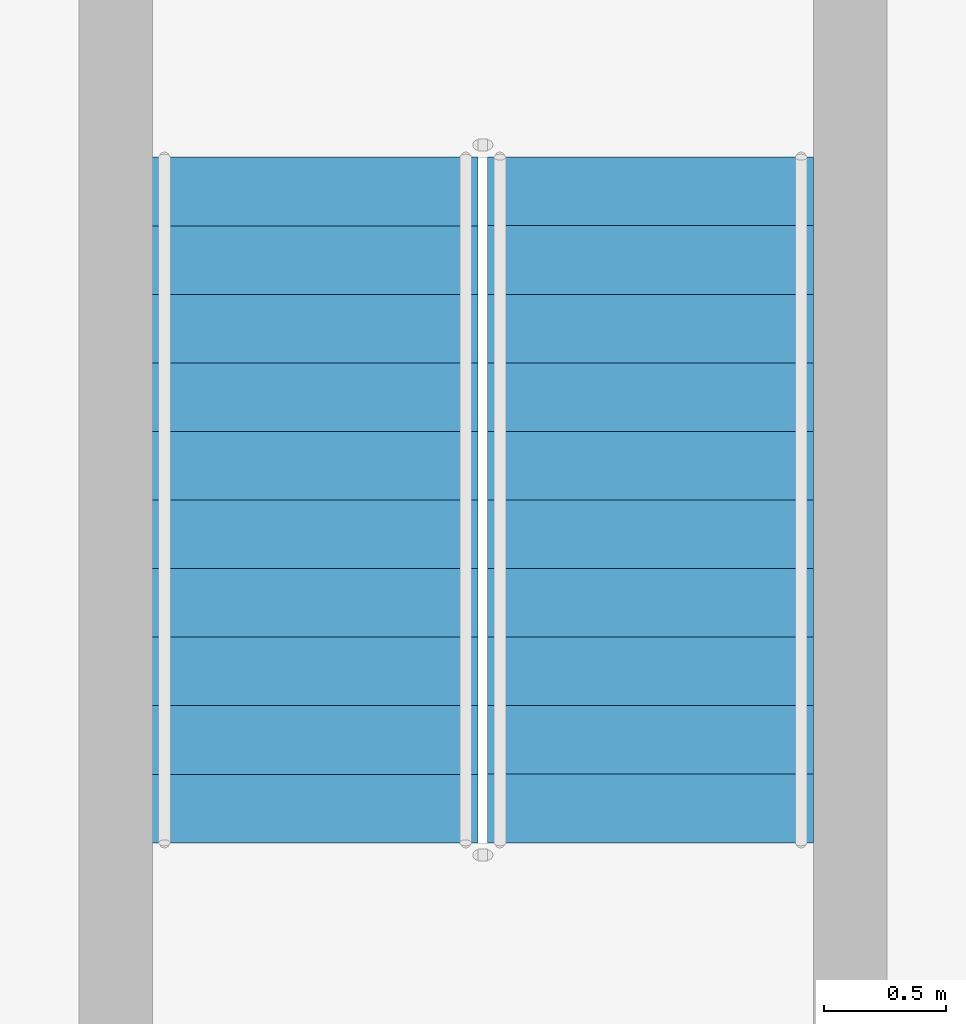
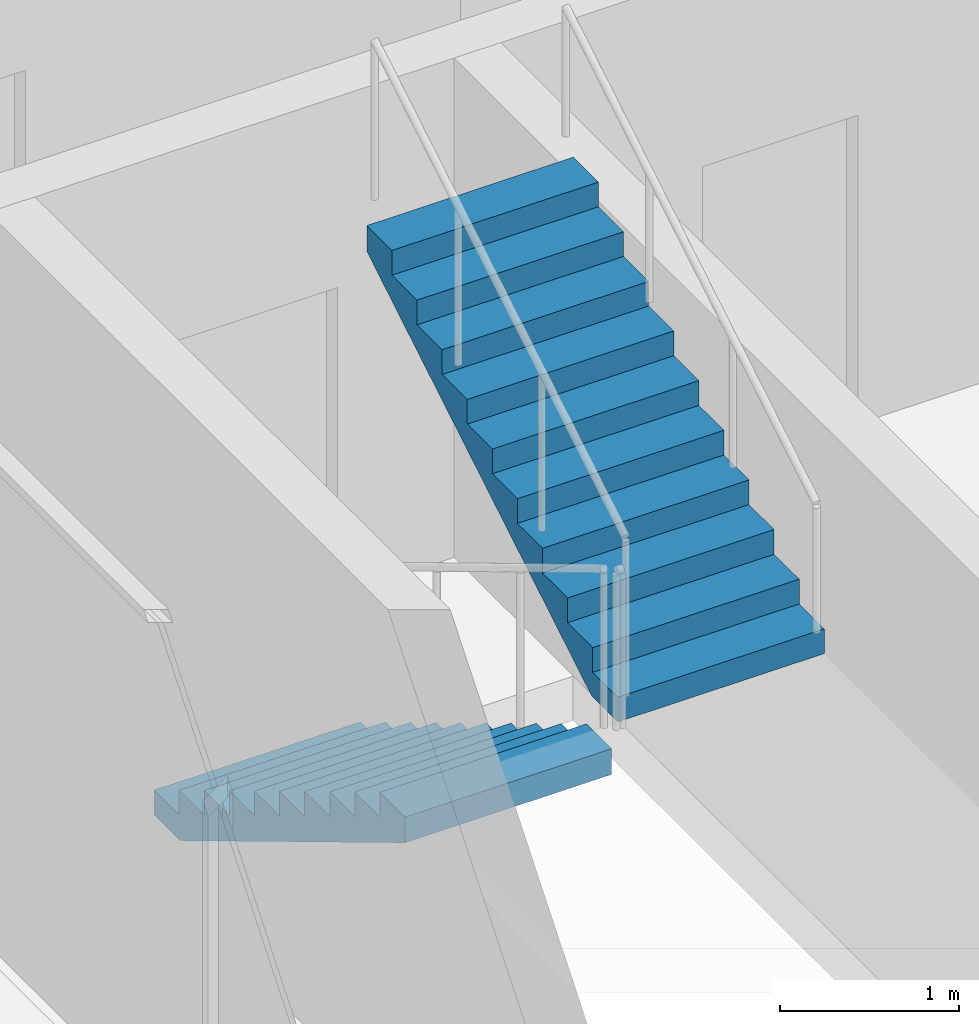
# One storey, part 15 of 24: 2 stair flights, 1 element without a shape of its own.
"""IFC4 building model written with IfcOpenShell, lengths in metres."""

from ifc_helpers import new_model, si_unit, direction, frame, origin, place, context, subcontext, project, spatial, triangles, source, transform, mapped, material, type_object, element, aggregate, save


model = new_model("IFC4")

# Units and contexts
model_context = context("Model", 3, precision=1e-05, world=origin(), true_north=direction((0.0, 1.0)))
body_context = subcontext(model_context, "Body", "Model", "MODEL_VIEW")
ifc_project = project(units=[si_unit("LENGTHUNIT", "METRE"), si_unit("AREAUNIT", "SQUARE_METRE"), si_unit("VOLUMEUNIT", "CUBIC_METRE"), si_unit("PLANEANGLEUNIT", "RADIAN"), si_unit("MASSUNIT", "GRAM", prefix="KILO")], contexts=[model_context])

# Site, building, storey
site_placement = place(None, origin())
site = spatial("IfcSite", under=ifc_project, at=site_placement, CompositionType="ELEMENT")
building_placement = place(site_placement, origin())
building = spatial("IfcBuilding", under=site, at=building_placement, Name="Ogive Portal Towers", CompositionType="ELEMENT")
storey_placement = place(building_placement, frame((0.0, 0.0, 153.300048828125)))
storey = spatial("IfcBuildingStorey", under=building, at=storey_placement, Name="L37", CompositionType="ELEMENT", Elevation=153.300048828125)

# Stair, stair flights
ifc_material = material(Name="Concrete C40/50", Category="concrete")
stair_type = type_object("IfcStairType", Name="INT-STAIR", PredefinedType="HALF_TURN_STAIR", material=ifc_material)
stair_placement = place(storey_placement, origin())
stair = element("IfcStair", 1, at=stair_placement, inside=storey, type_object=stair_type, Name="L37 Exit Stair ST-A4", PredefinedType="HALF_TURN_STAIR")
stair_flight_type = type_object("IfcStairFlightType", Name="INT-FLIGHT", PredefinedType="STRAIGHT", material=ifc_material)
shared_shape = source(origin(), body_context, "Body", "Tessellation", [
    triangles([(0.0, -0.6650390625, 0.0), (0.0, -0.384765625, 0.0), (0.0, -0.197021484375, 0.0), (0.0, -0.0830078125, 0.0), (0.0, -0.024658203125, 0.0), (0.0, -0.003173828125, 0.0), (0.0, 0.0, 0.0), (0.0, 0.003173828125, 0.0), (0.0, 0.024658203125, 0.0), (0.0, 0.0830078125, 0.0), (0.0, 0.197021484375, 0.0), (0.0, 0.384765625, 0.0), (0.0, 0.6650390625, 0.0), (0.0, -0.6650390625, 0.168212890625), (0.0, -0.384765625, 0.168212890625), (0.0, -0.197021484375, 0.168212890625), (0.0, -0.0830078125, 0.168212890625), (0.0, -0.024658203125, 0.168212890625), (0.0, -0.003173828125, 0.168212890625), (0.0, 0.0, 0.168212890625), (0.0, 0.003173828125, 0.168212890625), (0.0, 0.024658203125, 0.168212890625), (0.0, 0.0830078125, 0.168212890625), (0.0, 0.197021484375, 0.168212890625), (0.0, 0.384765625, 0.168212890625), (0.0, 0.6650390625, 0.168212890625), (0.280029296875, -0.6650390625, 0.168212890625), (0.280029296875, -0.384765625, 0.168212890625), (0.280029296875, -0.197021484375, 0.168212890625), (0.280029296875, -0.0830078125, 0.168212890625), (0.280029296875, -0.024658203125, 0.168212890625), (0.280029296875, -0.003173828125, 0.168212890625), (0.280029296875, 0.0, 0.168212890625), (0.280029296875, 0.003173828125, 0.168212890625), (0.280029296875, 0.024658203125, 0.168212890625), (0.280029296875, 0.0830078125, 0.168212890625), (0.280029296875, 0.197021484375, 0.168212890625), (0.280029296875, 0.384765625, 0.168212890625), (0.280029296875, 0.6650390625, 0.168212890625), (0.280029296875, -0.6650390625, 0.33642578125), (0.280029296875, -0.384765625, 0.33642578125), (0.280029296875, -0.197021484375, 0.33642578125), (0.280029296875, -0.0830078125, 0.33642578125), (0.280029296875, -0.024658203125, 0.33642578125), (0.280029296875, -0.003173828125, 0.33642578125), (0.280029296875, 0.0, 0.33642578125), (0.280029296875, 0.003173828125, 0.33642578125), (0.280029296875, 0.024658203125, 0.33642578125), (0.280029296875, 0.0830078125, 0.33642578125), (0.280029296875, 0.197021484375, 0.33642578125), (0.280029296875, 0.384765625, 0.33642578125), (0.280029296875, 0.6650390625, 0.33642578125), (0.56005859375, -0.6650390625, 0.33642578125), (0.56005859375, -0.384765625, 0.33642578125), (0.56005859375, -0.197021484375, 0.33642578125), (0.56005859375, -0.0830078125, 0.33642578125), (0.56005859375, -0.024658203125, 0.33642578125), (0.56005859375, -0.003173828125, 0.33642578125), (0.56005859375, 0.0, 0.33642578125), (0.56005859375, 0.003173828125, 0.33642578125), (0.56005859375, 0.024658203125, 0.33642578125), (0.56005859375, 0.0830078125, 0.33642578125), (0.56005859375, 0.197021484375, 0.33642578125), (0.56005859375, 0.384765625, 0.33642578125), (0.56005859375, 0.6650390625, 0.33642578125), (0.56005859375, -0.6650390625, 0.504638671875), (0.56005859375, -0.384765625, 0.504638671875), (0.56005859375, -0.197021484375, 0.504638671875), (0.56005859375, -0.0830078125, 0.504638671875), (0.56005859375, -0.024658203125, 0.504638671875), (0.56005859375, -0.003173828125, 0.504638671875), (0.56005859375, 0.0, 0.504638671875), (0.56005859375, 0.003173828125, 0.504638671875), (0.56005859375, 0.024658203125, 0.504638671875), (0.56005859375, 0.0830078125, 0.504638671875), (0.56005859375, 0.197021484375, 0.504638671875), (0.56005859375, 0.384765625, 0.504638671875), (0.56005859375, 0.6650390625, 0.504638671875), (0.840087890625, -0.6650390625, 0.504638671875), (0.840087890625, -0.384765625, 0.504638671875), (0.840087890625, -0.197021484375, 0.504638671875), (0.840087890625, -0.0830078125, 0.504638671875), (0.840087890625, -0.024658203125, 0.504638671875), (0.840087890625, -0.003173828125, 0.504638671875), (0.840087890625, 0.0, 0.504638671875), (0.840087890625, 0.003173828125, 0.504638671875), (0.840087890625, 0.024658203125, 0.504638671875), (0.840087890625, 0.0830078125, 0.504638671875), (0.840087890625, 0.197021484375, 0.504638671875), (0.840087890625, 0.384765625, 0.504638671875), (0.840087890625, 0.6650390625, 0.504638671875), (0.840087890625, -0.6650390625, 0.672607421875), (0.840087890625, -0.384765625, 0.672607421875), (0.840087890625, -0.197021484375, 0.672607421875), (0.840087890625, -0.0830078125, 0.672607421875), (0.840087890625, -0.024658203125, 0.672607421875), (0.840087890625, -0.003173828125, 0.672607421875), (0.840087890625, 0.0, 0.672607421875), (0.840087890625, 0.003173828125, 0.672607421875), (0.840087890625, 0.024658203125, 0.672607421875), (0.840087890625, 0.0830078125, 0.672607421875), (0.840087890625, 0.197021484375, 0.672607421875), (0.840087890625, 0.384765625, 0.672607421875), (0.840087890625, 0.6650390625, 0.672607421875), (1.1201171875, -0.6650390625, 0.672607421875), (1.1201171875, -0.384765625, 0.672607421875), (1.1201171875, -0.197021484375, 0.672607421875), (1.1201171875, -0.0830078125, 0.672607421875), (1.1201171875, -0.024658203125, 0.672607421875), (1.1201171875, -0.003173828125, 0.672607421875), (1.1201171875, 0.0, 0.672607421875), (1.1201171875, 0.003173828125, 0.672607421875), (1.1201171875, 0.024658203125, 0.672607421875), (1.1201171875, 0.0830078125, 0.672607421875), (1.1201171875, 0.197021484375, 0.672607421875), (1.1201171875, 0.384765625, 0.672607421875), (1.1201171875, 0.6650390625, 0.672607421875), (1.1201171875, -0.6650390625, 0.8408203125), (1.1201171875, -0.384765625, 0.8408203125), (1.1201171875, -0.197021484375, 0.8408203125), (1.1201171875, -0.0830078125, 0.8408203125), (1.1201171875, -0.024658203125, 0.8408203125), (1.1201171875, -0.003173828125, 0.8408203125), (1.1201171875, 0.0, 0.8408203125), (1.1201171875, 0.003173828125, 0.8408203125), (1.1201171875, 0.024658203125, 0.8408203125), (1.1201171875, 0.0830078125, 0.8408203125), (1.1201171875, 0.197021484375, 0.8408203125), (1.1201171875, 0.384765625, 0.8408203125), (1.1201171875, 0.6650390625, 0.8408203125), (1.39990234375, -0.6650390625, 0.8408203125), (1.39990234375, -0.384765625, 0.8408203125), (1.39990234375, -0.197021484375, 0.8408203125), (1.39990234375, -0.0830078125, 0.8408203125), (1.39990234375, -0.024658203125, 0.8408203125), (1.39990234375, -0.003173828125, 0.8408203125), (1.39990234375, 0.0, 0.8408203125), (1.39990234375, 0.003173828125, 0.8408203125), (1.39990234375, 0.024658203125, 0.8408203125), (1.39990234375, 0.0830078125, 0.8408203125), (1.39990234375, 0.197021484375, 0.8408203125), (1.39990234375, 0.384765625, 0.8408203125), (1.39990234375, 0.6650390625, 0.8408203125), (1.39990234375, -0.6650390625, 1.009033203125), (1.39990234375, -0.384765625, 1.009033203125), (1.39990234375, -0.197021484375, 1.009033203125), (1.39990234375, -0.0830078125, 1.009033203125), (1.39990234375, -0.024658203125, 1.009033203125), (1.39990234375, -0.003173828125, 1.009033203125), (1.39990234375, 0.0, 1.009033203125), (1.39990234375, 0.003173828125, 1.009033203125), (1.39990234375, 0.024658203125, 1.009033203125), (1.39990234375, 0.0830078125, 1.009033203125), (1.39990234375, 0.197021484375, 1.009033203125), (1.39990234375, 0.384765625, 1.009033203125), (1.39990234375, 0.6650390625, 1.009033203125), (1.679931640625, -0.6650390625, 1.009033203125), (1.679931640625, -0.384765625, 1.009033203125), (1.679931640625, -0.197021484375, 1.009033203125), (1.679931640625, -0.0830078125, 1.009033203125), (1.679931640625, -0.024658203125, 1.009033203125), (1.679931640625, -0.003173828125, 1.009033203125), (1.679931640625, 0.0, 1.009033203125), (1.679931640625, 0.003173828125, 1.009033203125), (1.679931640625, 0.024658203125, 1.009033203125), (1.679931640625, 0.0830078125, 1.009033203125), (1.679931640625, 0.197021484375, 1.009033203125), (1.679931640625, 0.384765625, 1.009033203125), (1.679931640625, 0.6650390625, 1.009033203125), (1.679931640625, -0.6650390625, 1.17724609375), (1.679931640625, -0.384765625, 1.17724609375), (1.679931640625, -0.197021484375, 1.17724609375), (1.679931640625, -0.0830078125, 1.17724609375), (1.679931640625, -0.024658203125, 1.17724609375), (1.679931640625, -0.003173828125, 1.17724609375), (1.679931640625, 0.0, 1.17724609375), (1.679931640625, 0.003173828125, 1.17724609375), (1.679931640625, 0.024658203125, 1.17724609375), (1.679931640625, 0.0830078125, 1.17724609375), (1.679931640625, 0.197021484375, 1.17724609375), (1.679931640625, 0.384765625, 1.17724609375), (1.679931640625, 0.6650390625, 1.17724609375), (1.9599609375, -0.6650390625, 1.17724609375), (1.9599609375, -0.384765625, 1.17724609375), (1.9599609375, -0.197021484375, 1.17724609375), (1.9599609375, -0.0830078125, 1.17724609375), (1.9599609375, -0.024658203125, 1.17724609375), (1.9599609375, -0.003173828125, 1.17724609375), (1.9599609375, 0.0, 1.17724609375), (1.9599609375, 0.003173828125, 1.17724609375), (1.9599609375, 0.024658203125, 1.17724609375), (1.9599609375, 0.0830078125, 1.17724609375), (1.9599609375, 0.197021484375, 1.17724609375), (1.9599609375, 0.384765625, 1.17724609375), (1.9599609375, 0.6650390625, 1.17724609375), (1.9599609375, -0.6650390625, 1.345458984375), (1.9599609375, -0.384765625, 1.345458984375), (1.9599609375, -0.197021484375, 1.345458984375), (1.9599609375, -0.0830078125, 1.345458984375), (1.9599609375, -0.024658203125, 1.345458984375), (1.9599609375, -0.003173828125, 1.345458984375), (1.9599609375, 0.0, 1.345458984375), (1.9599609375, 0.003173828125, 1.345458984375), (1.9599609375, 0.024658203125, 1.345458984375), (1.9599609375, 0.0830078125, 1.345458984375), (1.9599609375, 0.197021484375, 1.345458984375), (1.9599609375, 0.384765625, 1.345458984375), (1.9599609375, 0.6650390625, 1.345458984375), (2.239990234375, -0.6650390625, 1.345458984375), (2.239990234375, -0.384765625, 1.345458984375), (2.239990234375, -0.197021484375, 1.345458984375), (2.239990234375, -0.0830078125, 1.345458984375), (2.239990234375, -0.024658203125, 1.345458984375), (2.239990234375, -0.003173828125, 1.345458984375), (2.239990234375, 0.0, 1.345458984375), (2.239990234375, 0.003173828125, 1.345458984375), (2.239990234375, 0.024658203125, 1.345458984375), (2.239990234375, 0.0830078125, 1.345458984375), (2.239990234375, 0.197021484375, 1.345458984375), (2.239990234375, 0.384765625, 1.345458984375), (2.239990234375, 0.6650390625, 1.345458984375), (2.239990234375, -0.6650390625, 1.513671875), (2.239990234375, -0.384765625, 1.513671875), (2.239990234375, -0.197021484375, 1.513671875), (2.239990234375, -0.0830078125, 1.513671875), (2.239990234375, -0.024658203125, 1.513671875), (2.239990234375, -0.003173828125, 1.513671875), (2.239990234375, 0.0, 1.513671875), (2.239990234375, 0.003173828125, 1.513671875), (2.239990234375, 0.024658203125, 1.513671875), (2.239990234375, 0.0830078125, 1.513671875), (2.239990234375, 0.197021484375, 1.513671875), (2.239990234375, 0.384765625, 1.513671875), (2.239990234375, 0.6650390625, 1.513671875), (2.52001953125, -0.6650390625, 1.513671875), (2.52001953125, -0.384765625, 1.513671875), (2.52001953125, -0.197021484375, 1.513671875), (2.52001953125, -0.0830078125, 1.513671875), (2.52001953125, -0.024658203125, 1.513671875), (2.52001953125, -0.003173828125, 1.513671875), (2.52001953125, 0.0, 1.513671875), (2.52001953125, 0.003173828125, 1.513671875), (2.52001953125, 0.024658203125, 1.513671875), (2.52001953125, 0.0830078125, 1.513671875), (2.52001953125, 0.197021484375, 1.513671875), (2.52001953125, 0.384765625, 1.513671875), (2.52001953125, 0.6650390625, 1.513671875), (2.52001953125, -0.6650390625, 1.681884765625), (2.52001953125, -0.384765625, 1.681884765625), (2.52001953125, -0.197021484375, 1.681884765625), (2.52001953125, -0.0830078125, 1.681884765625), (2.52001953125, -0.024658203125, 1.681884765625), (2.52001953125, -0.003173828125, 1.681884765625), (2.52001953125, 0.0, 1.681884765625), (2.52001953125, 0.003173828125, 1.681884765625), (2.52001953125, 0.024658203125, 1.681884765625), (2.52001953125, 0.0830078125, 1.681884765625), (2.52001953125, 0.197021484375, 1.681884765625), (2.52001953125, 0.384765625, 1.681884765625), (2.52001953125, 0.6650390625, 1.681884765625), (2.800048828125, -0.6650390625, 1.681884765625), (2.800048828125, -0.384765625, 1.681884765625), (2.800048828125, -0.197021484375, 1.681884765625), (2.800048828125, -0.0830078125, 1.681884765625), (2.800048828125, -0.024658203125, 1.681884765625), (2.800048828125, -0.003173828125, 1.681884765625), (2.800048828125, 0.0, 1.681884765625), (2.800048828125, 0.003173828125, 1.681884765625), (2.800048828125, 0.024658203125, 1.681884765625), (2.800048828125, 0.0830078125, 1.681884765625), (2.800048828125, 0.197021484375, 1.681884765625), (2.800048828125, 0.384765625, 1.681884765625), (2.800048828125, 0.6650390625, 1.681884765625), (2.800048828125, -0.6650390625, 1.5068359375), (2.800048828125, -0.384765625, 1.5068359375), (2.800048828125, -0.197021484375, 1.5068359375), (2.800048828125, -0.0830078125, 1.5068359375), (2.800048828125, -0.024658203125, 1.5068359375), (2.800048828125, -0.003173828125, 1.5068359375), (2.800048828125, 0.0, 1.5068359375), (2.800048828125, 0.003173828125, 1.5068359375), (2.800048828125, 0.024658203125, 1.5068359375), (2.800048828125, 0.0830078125, 1.5068359375), (2.800048828125, 0.197021484375, 1.5068359375), (2.800048828125, 0.384765625, 1.5068359375), (2.800048828125, 0.6650390625, 1.5068359375), (0.291015625, -0.6650390625, 0.0), (0.291015625, -0.384765625, 0.0), (0.291015625, -0.197021484375, 0.0), (0.291015625, -0.0830078125, 0.0), (0.291015625, -0.024658203125, 0.0), (0.291015625, -0.003173828125, 0.0), (0.291015625, 0.0, 0.0), (0.291015625, 0.003173828125, 0.0), (0.291015625, 0.024658203125, 0.0), (0.291015625, 0.0830078125, 0.0), (0.291015625, 0.197021484375, 0.0), (0.291015625, 0.384765625, 0.0), (0.291015625, 0.6650390625, 0.0)], [[1, 14, 15], [1, 15, 2], [2, 15, 16], [2, 16, 3], [3, 16, 17], [3, 17, 4], [4, 17, 18], [4, 18, 5], [5, 18, 19], [5, 19, 6], [6, 19, 20], [6, 20, 7], [7, 20, 21], [7, 21, 8], [8, 21, 22], [8, 22, 9], [9, 22, 23], [9, 23, 10], [10, 23, 24], [10, 24, 11], [11, 24, 25], [11, 25, 12], [12, 25, 26], [12, 26, 13], [14, 27, 28], [14, 28, 15], [15, 28, 29], [15, 29, 16], [16, 29, 30], [16, 30, 17], [17, 30, 31], [17, 31, 18], [18, 31, 32], [18, 32, 19], [19, 32, 33], [19, 33, 20], [20, 33, 34], [20, 34, 21], [21, 34, 35], [21, 35, 22], [22, 35, 36], [22, 36, 23], [23, 36, 37], [23, 37, 24], [24, 37, 38], [24, 38, 25], [25, 38, 39], [25, 39, 26], [27, 40, 41], [27, 41, 28], [28, 41, 42], [28, 42, 29], [29, 42, 43], [29, 43, 30], [30, 43, 44], [30, 44, 31], [31, 44, 45], [31, 45, 32], [32, 45, 46], [32, 46, 33], [33, 46, 47], [33, 47, 34], [34, 47, 48], [34, 48, 35], [35, 48, 49], [35, 49, 36], [36, 49, 50], [36, 50, 37], [37, 50, 51], [37, 51, 38], [38, 51, 52], [38, 52, 39], [40, 53, 54], [40, 54, 41], [41, 54, 55], [41, 55, 42], [42, 55, 56], [42, 56, 43], [43, 56, 57], [43, 57, 44], [44, 57, 58], [44, 58, 45], [45, 58, 59], [45, 59, 46], [46, 59, 60], [46, 60, 47], [47, 60, 61], [47, 61, 48], [48, 61, 62], [48, 62, 49], [49, 62, 63], [49, 63, 50], [50, 63, 64], [50, 64, 51], [51, 64, 65], [51, 65, 52], [53, 66, 67], [53, 67, 54], [54, 67, 68], [54, 68, 55], [55, 68, 69], [55, 69, 56], [56, 69, 70], [56, 70, 57], [57, 70, 71], [57, 71, 58], [58, 71, 72], [58, 72, 59], [59, 72, 73], [59, 73, 60], [60, 73, 74], [60, 74, 61], [61, 74, 75], [61, 75, 62], [62, 75, 76], [62, 76, 63], [63, 76, 77], [63, 77, 64], [64, 77, 78], [64, 78, 65], [66, 79, 80], [66, 80, 67], [67, 80, 81], [67, 81, 68], [68, 81, 82], [68, 82, 69], [69, 82, 83], [69, 83, 70], [70, 83, 84], [70, 84, 71], [71, 84, 85], [71, 85, 72], [72, 85, 86], [72, 86, 73], [73, 86, 87], [73, 87, 74], [74, 87, 88], [74, 88, 75], [75, 88, 89], [75, 89, 76], [76, 89, 90], [76, 90, 77], [77, 90, 91], [77, 91, 78], [79, 92, 93], [79, 93, 80], [80, 93, 94], [80, 94, 81], [81, 94, 95], [81, 95, 82], [82, 95, 96], [82, 96, 83], [83, 96, 97], [83, 97, 84], [84, 97, 98], [84, 98, 85], [85, 98, 99], [85, 99, 86], [86, 99, 100], [86, 100, 87], [87, 100, 101], [87, 101, 88], [88, 101, 102], [88, 102, 89], [89, 102, 103], [89, 103, 90], [90, 103, 104], [90, 104, 91], [92, 105, 106], [92, 106, 93], [93, 106, 107], [93, 107, 94], [94, 107, 108], [94, 108, 95], [95, 108, 109], [95, 109, 96], [96, 109, 110], [96, 110, 97], [97, 110, 111], [97, 111, 98], [98, 111, 112], [98, 112, 99], [99, 112, 113], [99, 113, 100], [100, 113, 114], [100, 114, 101], [101, 114, 115], [101, 115, 102], [102, 115, 116], [102, 116, 103], [103, 116, 117], [103, 117, 104], [105, 118, 119], [105, 119, 106], [106, 119, 120], [106, 120, 107], [107, 120, 121], [107, 121, 108], [108, 121, 122], [108, 122, 109], [109, 122, 123], [109, 123, 110], [110, 123, 124], [110, 124, 111], [111, 124, 125], [111, 125, 112], [112, 125, 126], [112, 126, 113], [113, 126, 127], [113, 127, 114], [114, 127, 128], [114, 128, 115], [115, 128, 129], [115, 129, 116], [116, 129, 130], [116, 130, 117], [118, 131, 132], [118, 132, 119], [119, 132, 133], [119, 133, 120], [120, 133, 134], [120, 134, 121], [121, 134, 135], [121, 135, 122], [122, 135, 136], [122, 136, 123], [123, 136, 137], [123, 137, 124], [124, 137, 138], [124, 138, 125], [125, 138, 139], [125, 139, 126], [126, 139, 140], [126, 140, 127], [127, 140, 141], [127, 141, 128], [128, 141, 142], [128, 142, 129], [129, 142, 143], [129, 143, 130], [131, 144, 145], [131, 145, 132], [132, 145, 146], [132, 146, 133], [133, 146, 147], [133, 147, 134], [134, 147, 148], [134, 148, 135], [135, 148, 149], [135, 149, 136], [136, 149, 150], [136, 150, 137], [137, 150, 151], [137, 151, 138], [138, 151, 152], [138, 152, 139], [139, 152, 153], [139, 153, 140], [140, 153, 154], [140, 154, 141], [141, 154, 155], [141, 155, 142], [142, 155, 156], [142, 156, 143], [144, 157, 158], [144, 158, 145], [145, 158, 159], [145, 159, 146], [146, 159, 160], [146, 160, 147], [147, 160, 161], [147, 161, 148], [148, 161, 162], [148, 162, 149], [149, 162, 163], [149, 163, 150], [150, 163, 164], [150, 164, 151], [151, 164, 165], [151, 165, 152], [152, 165, 166], [152, 166, 153], [153, 166, 167], [153, 167, 154], [154, 167, 168], [154, 168, 155], [155, 168, 169], [155, 169, 156], [157, 170, 171], [157, 171, 158], [158, 171, 172], [158, 172, 159], [159, 172, 173], [159, 173, 160], [160, 173, 174], [160, 174, 161], [161, 174, 175], [161, 175, 162], [162, 175, 176], [162, 176, 163], [163, 176, 177], [163, 177, 164], [164, 177, 178], [164, 178, 165], [165, 178, 179], [165, 179, 166], [166, 179, 180], [166, 180, 167], [167, 180, 181], [167, 181, 168], [168, 181, 182], [168, 182, 169], [170, 183, 184], [170, 184, 171], [171, 184, 185], [171, 185, 172], [172, 185, 186], [172, 186, 173], [173, 186, 187], [173, 187, 174], [174, 187, 188], [174, 188, 175], [175, 188, 189], [175, 189, 176], [176, 189, 190], [176, 190, 177], [177, 190, 191], [177, 191, 178], [178, 191, 192], [178, 192, 179], [179, 192, 193], [179, 193, 180], [180, 193, 194], [180, 194, 181], [181, 194, 195], [181, 195, 182], [183, 196, 197], [183, 197, 184], [184, 197, 198], [184, 198, 185], [185, 198, 199], [185, 199, 186], [186, 199, 200], [186, 200, 187], [187, 200, 201], [187, 201, 188], [188, 201, 202], [188, 202, 189], [189, 202, 203], [189, 203, 190], [190, 203, 204], [190, 204, 191], [191, 204, 205], [191, 205, 192], [192, 205, 206], [192, 206, 193], [193, 206, 207], [193, 207, 194], [194, 207, 208], [194, 208, 195], [196, 209, 210], [196, 210, 197], [197, 210, 211], [197, 211, 198], [198, 211, 212], [198, 212, 199], [199, 212, 213], [199, 213, 200], [200, 213, 214], [200, 214, 201], [201, 214, 215], [201, 215, 202], [202, 215, 216], [202, 216, 203], [203, 216, 217], [203, 217, 204], [204, 217, 218], [204, 218, 205], [205, 218, 219], [205, 219, 206], [206, 219, 220], [206, 220, 207], [207, 220, 221], [207, 221, 208], [209, 222, 223], [209, 223, 210], [210, 223, 224], [210, 224, 211], [211, 224, 225], [211, 225, 212], [212, 225, 226], [212, 226, 213], [213, 226, 227], [213, 227, 214], [214, 227, 228], [214, 228, 215], [215, 228, 229], [215, 229, 216], [216, 229, 230], [216, 230, 217], [217, 230, 231], [217, 231, 218], [218, 231, 232], [218, 232, 219], [219, 232, 233], [219, 233, 220], [220, 233, 234], [220, 234, 221], [222, 235, 236], [222, 236, 223], [223, 236, 237], [223, 237, 224], [224, 237, 238], [224, 238, 225], [225, 238, 239], [225, 239, 226], [226, 239, 240], [226, 240, 227], [227, 240, 241], [227, 241, 228], [228, 241, 242], [228, 242, 229], [229, 242, 243], [229, 243, 230], [230, 243, 244], [230, 244, 231], [231, 244, 245], [231, 245, 232], [232, 245, 246], [232, 246, 233], [233, 246, 247], [233, 247, 234], [235, 248, 249], [235, 249, 236], [236, 249, 250], [236, 250, 237], [237, 250, 251], [237, 251, 238], [238, 251, 252], [238, 252, 239], [239, 252, 253], [239, 253, 240], [240, 253, 254], [240, 254, 241], [241, 254, 255], [241, 255, 242], [242, 255, 256], [242, 256, 243], [243, 256, 257], [243, 257, 244], [244, 257, 258], [244, 258, 245], [245, 258, 259], [245, 259, 246], [246, 259, 260], [246, 260, 247], [248, 261, 262], [248, 262, 249], [249, 262, 263], [249, 263, 250], [250, 263, 264], [250, 264, 251], [251, 264, 265], [251, 265, 252], [252, 265, 266], [252, 266, 253], [253, 266, 267], [253, 267, 254], [254, 267, 268], [254, 268, 255], [255, 268, 269], [255, 269, 256], [256, 269, 270], [256, 270, 257], [257, 270, 271], [257, 271, 258], [258, 271, 272], [258, 272, 259], [259, 272, 273], [259, 273, 260], [261, 274, 275], [261, 275, 262], [262, 275, 276], [262, 276, 263], [263, 276, 277], [263, 277, 264], [264, 277, 278], [264, 278, 265], [265, 278, 279], [265, 279, 266], [266, 279, 280], [266, 280, 267], [267, 280, 281], [267, 281, 268], [268, 281, 282], [268, 282, 269], [269, 282, 283], [269, 283, 270], [270, 283, 284], [270, 284, 271], [271, 284, 285], [271, 285, 272], [272, 285, 286], [272, 286, 273], [274, 287, 288], [274, 288, 275], [275, 288, 289], [275, 289, 276], [276, 289, 290], [276, 290, 277], [277, 290, 291], [277, 291, 278], [278, 291, 292], [278, 292, 279], [279, 292, 293], [279, 293, 280], [280, 293, 294], [280, 294, 281], [281, 294, 295], [281, 295, 282], [282, 295, 296], [282, 296, 283], [283, 296, 297], [283, 297, 284], [284, 297, 298], [284, 298, 285], [285, 298, 299], [285, 299, 286], [287, 1, 2], [287, 2, 288], [288, 2, 3], [288, 3, 289], [289, 3, 4], [289, 4, 290], [290, 4, 5], [290, 5, 291], [291, 5, 6], [291, 6, 292], [292, 6, 7], [292, 7, 293], [293, 7, 8], [293, 8, 294], [294, 8, 9], [294, 9, 295], [295, 9, 10], [295, 10, 296], [296, 10, 11], [296, 11, 297], [297, 11, 12], [297, 12, 298], [298, 12, 13], [298, 13, 299], [1, 287, 274], [13, 286, 299], [274, 261, 248], [286, 260, 273], [274, 248, 235], [286, 247, 260], [274, 235, 222], [286, 234, 247], [274, 222, 209], [286, 221, 234], [209, 196, 183], [221, 195, 208], [274, 209, 183], [286, 195, 221], [183, 170, 157], [195, 169, 182], [274, 183, 157], [286, 169, 195], [157, 144, 131], [169, 143, 156], [274, 157, 131], [286, 143, 169], [131, 118, 105], [143, 117, 130], [274, 131, 105], [286, 117, 143], [1, 274, 105], [13, 117, 286], [105, 92, 79], [117, 91, 104], [79, 66, 53], [91, 65, 78], [105, 79, 53], [117, 65, 91], [53, 40, 27], [65, 39, 52], [105, 53, 27], [117, 39, 65], [1, 105, 27], [13, 39, 117], [27, 14, 1], [39, 13, 26]], closed=True),
])
stair_flight_1_placement = place(storey_placement, frame((87.6650390625, 29.169921875, 0.0), z_axis=(0.0, 0.0, 1.0), x_axis=(0.0, -1.0, 0.0)))
stair_flight_1 = element("IfcStairFlight", 2, at=stair_flight_1_placement, type_object=stair_flight_type, Name="ST-A4 flight 1", NumberOfRisers=11, NumberOfTreads=10, PredefinedType="STRAIGHT", RiserHeight=0.168181818, TreadLength=0.28, context=body_context, shape_type="MappedRepresentation", body=[
    mapped(shared_shape, transform((0.0, 0.0, 0.0), scale=1.0)),
])
stair_flight_2_placement = place(storey_placement, frame((89.034912109375, 26.3701171875, 1.849853515625), z_axis=(0.0, 0.0, 1.0), x_axis=(0.0, 1.0, 0.0)))
stair_flight_2 = element("IfcStairFlight", 3, at=stair_flight_2_placement, type_object=stair_flight_type, Name="ST-A4 flight 2", NumberOfRisers=11, NumberOfTreads=10, PredefinedType="STRAIGHT", RiserHeight=0.168181818, TreadLength=0.28, context=body_context, shape_type="MappedRepresentation", body=[
    mapped(shared_shape, transform((0.0, 0.0, 0.0), scale=1.0)),
])
aggregate(stair, [stair_flight_1, stair_flight_2])

save(model, "model.ifc")
